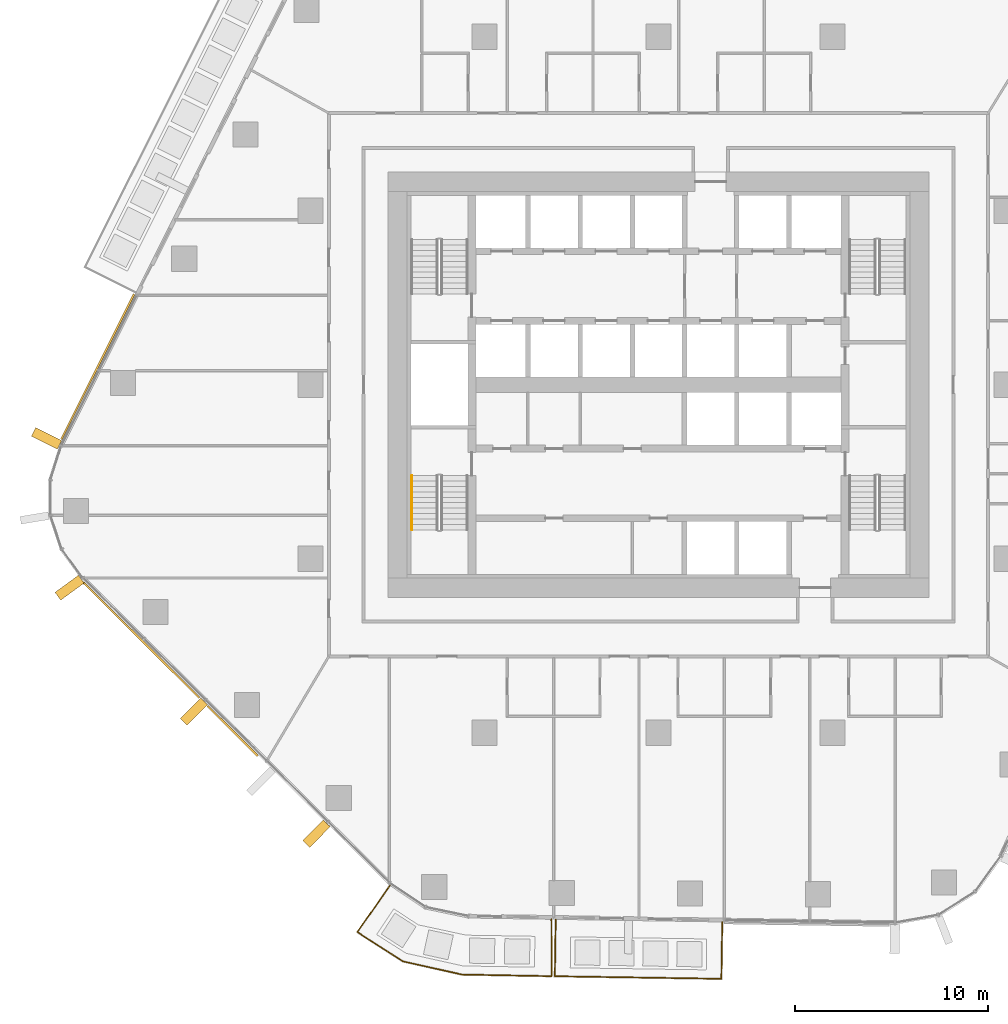
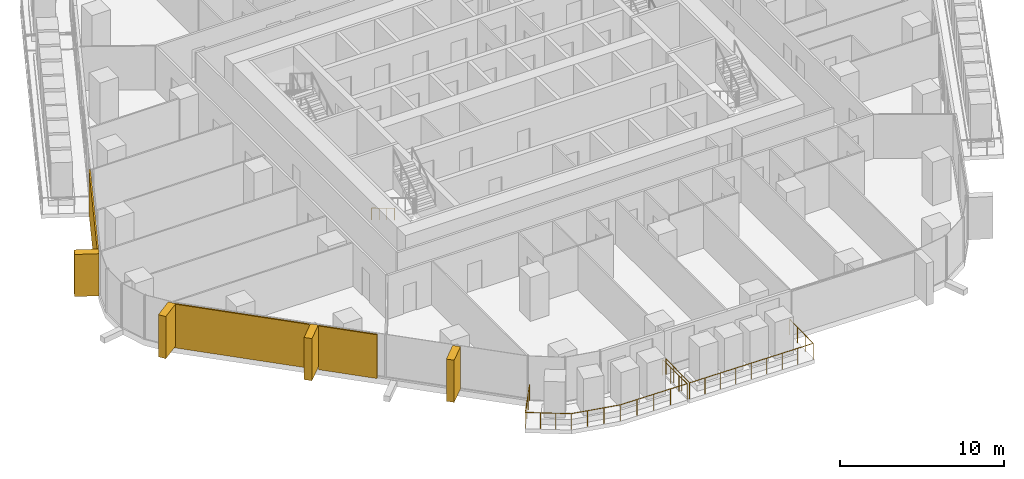
# One storey, part 19 of 24: 7 coverings, 3 railings, 3 elements without a shape of their own.
"""IFC4 building model written with IfcOpenShell, lengths in metres."""

from ifc_helpers import new_model, si_unit, direction, frame, origin, origin_2d, place, context, subcontext, project, spatial, rectangle, circle, extrude, material, layer, layer_set, material_profile, profile_set, type_object, element, aggregate, save


model = new_model("IFC4")

# Units and contexts
model_context = context("Model", 3, precision=1e-05, world=origin(), true_north=direction((0.0, 1.0)))
body_context = subcontext(model_context, "Body", "Model", "MODEL_VIEW")
ifc_project = project(units=[si_unit("LENGTHUNIT", "METRE"), si_unit("AREAUNIT", "SQUARE_METRE"), si_unit("VOLUMEUNIT", "CUBIC_METRE"), si_unit("PLANEANGLEUNIT", "RADIAN"), si_unit("MASSUNIT", "GRAM", prefix="KILO")], contexts=[model_context])

# Site, building, storey
site_placement = place(None, origin())
site = spatial("IfcSite", under=ifc_project, at=site_placement, CompositionType="ELEMENT")
building_placement = place(site_placement, origin())
building = spatial("IfcBuilding", under=site, at=building_placement, Name="Dongbaek Canopy Tower", CompositionType="ELEMENT")
storey_placement = place(building_placement, frame((0.0, 0.0, 98.89990234375)))
storey = spatial("IfcBuildingStorey", under=building, at=storey_placement, Name="L20", CompositionType="ELEMENT", Elevation=98.89990234375)

# Railings
ifc_material_1 = material(Name="Stainless steel", Category="steel")
railing_type_1 = type_object("IfcRailingType", Name="Balcony balustrade 1200", PredefinedType="BALUSTRADE", material=ifc_material_1)
railing_1_placement = place(storey_placement, frame((-5.315185546875, -27.650390625, 0.0)))
element("IfcRailing", 1, at=railing_1_placement, inside=storey, type_object=railing_type_1, Name="Balcony guard L20 4", PredefinedType="BALUSTRADE", context=body_context, shape_type="SweptSolid", body=[
    extrude(circle(Radius=0.02392578125, at=origin_2d()), frame((0.0, 0.0, 1.17578125), z_axis=(-0.015445379339, -0.999880713014, 0.0), x_axis=(0.999880713014, -0.015445379339, 0.0)), (0.0, 0.0, 1.0), 2.93994140625),
    extrude(circle(Radius=0.02392578125, at=origin_2d()), frame((-0.04541015625, -2.939697265625, 1.17578125), z_axis=(0.99988115416, -0.015416794622, 0.0), x_axis=(0.015416794622, 0.99988115416, 0.0)), (0.0, 0.0, 1.0), 8.61474609375),
    extrude(circle(Radius=0.02392578125, at=origin_2d()), frame((8.568359375, -3.072509765625, 1.17578125), z_axis=(0.015362359316, 0.999881991995, 0.0), x_axis=(-0.999881991995, 0.015362359316, 0.0)), (0.0, 0.0, 1.0), 2.93994140625),
    extrude(circle(Radius=0.02099609375, at=origin_2d()), origin(), (0.0, 0.0, 1.0), 1.15185546875),
    extrude(circle(Radius=0.02099609375, at=origin_2d()), frame((-0.01513671875, -0.97998046875, 0.0)), (0.0, 0.0, 1.0), 1.15185546875),
    extrude(circle(Radius=0.02099609375, at=origin_2d()), frame((-0.0302734375, -1.959716796875, 0.0)), (0.0, 0.0, 1.0), 1.15185546875),
    extrude(circle(Radius=0.02099609375, at=origin_2d()), frame((-0.04541015625, -2.939697265625, 0.0)), (0.0, 0.0, 1.0), 1.15185546875),
    extrude(circle(Radius=0.02099609375, at=origin_2d()), frame((1.03125, -2.956298828125, 0.0)), (0.0, 0.0, 1.0), 1.15185546875),
    extrude(circle(Radius=0.02099609375, at=origin_2d()), frame((2.10791015625, -2.972900390625, 0.0)), (0.0, 0.0, 1.0), 1.15185546875),
    extrude(circle(Radius=0.02099609375, at=origin_2d()), frame((3.184814453125, -2.989501953125, 0.0)), (0.0, 0.0, 1.0), 1.15185546875),
    extrude(circle(Radius=0.02099609375, at=origin_2d()), frame((4.261474609375, -3.006103515625, 0.0)), (0.0, 0.0, 1.0), 1.15185546875),
    extrude(circle(Radius=0.02099609375, at=origin_2d()), frame((5.338134765625, -3.022705078125, 0.0)), (0.0, 0.0, 1.0), 1.15185546875),
    extrude(circle(Radius=0.02099609375, at=origin_2d()), frame((6.4150390625, -3.039306640625, 0.0)), (0.0, 0.0, 1.0), 1.15185546875),
    extrude(circle(Radius=0.02099609375, at=origin_2d()), frame((7.49169921875, -3.055908203125, 0.0)), (0.0, 0.0, 1.0), 1.15185546875),
    extrude(circle(Radius=0.02099609375, at=origin_2d()), frame((8.568359375, -3.072509765625, 0.0)), (0.0, 0.0, 1.0), 1.15185546875),
    extrude(circle(Radius=0.02099609375, at=origin_2d()), frame((8.58349609375, -2.092529296875, 0.0)), (0.0, 0.0, 1.0), 1.15185546875),
    extrude(circle(Radius=0.02099609375, at=origin_2d()), frame((8.598388671875, -1.11279296875, 0.0)), (0.0, 0.0, 1.0), 1.15185546875),
    extrude(circle(Radius=0.02099609375, at=origin_2d()), frame((8.613525390625, -0.1328125, 0.0)), (0.0, 0.0, 1.0), 1.15185546875),
])
railing_2_placement = place(storey_placement, frame((-13.888671875, -25.897216796875, 0.0)))
element("IfcRailing", 2, at=railing_2_placement, inside=storey, type_object=railing_type_1, Name="Balcony guard L20 8", PredefinedType="BALUSTRADE", context=body_context, shape_type="SweptSolid", body=[
    extrude(circle(Radius=0.02392578125, at=origin_2d()), frame((0.0, 0.0, 1.17578125), z_axis=(-0.573824449934, -0.818978327343, 0.0), x_axis=(0.818978327343, -0.573824449934, 0.0)), (0.0, 0.0, 1.0), 2.940673828125),
    extrude(circle(Radius=0.02392578125, at=origin_2d()), frame((-1.6875, -2.408447265625, 1.17578125), z_axis=(0.841065066743, -0.540933964088, 0.0), x_axis=(0.540933964088, 0.841065066743, 0.0)), (0.0, 0.0, 1.0), 2.79833984375),
    extrude(circle(Radius=0.02392578125, at=origin_2d()), frame((0.666015625, -3.922119140625, 1.17578125), z_axis=(0.975888792323, -0.218268332607, 0.0), x_axis=(0.218268332607, 0.975888792323, 0.0)), (0.0, 0.0, 1.0), 3.129638671875),
    extrude(circle(Radius=0.02392578125, at=origin_2d()), frame((3.72021484375, -4.605224609375, 1.17578125), z_axis=(0.99983201567, -0.01832867809, 0.0), x_axis=(0.01832867809, 0.99983201567, 0.0)), (0.0, 0.0, 1.0), 4.648681640625),
    extrude(circle(Radius=0.02392578125, at=origin_2d()), frame((8.3681640625, -4.6904296875, 1.17578125), z_axis=(-0.004981671827, 0.999987591396, 0.0), x_axis=(-0.999987591396, -0.004981671827, 0.0)), (0.0, 0.0, 1.0), 2.9404296875),
    extrude(circle(Radius=0.02099609375, at=origin_2d()), origin(), (0.0, 0.0, 1.0), 1.15185546875),
    extrude(circle(Radius=0.02099609375, at=origin_2d()), frame((-0.5625, -0.802734375, 0.0)), (0.0, 0.0, 1.0), 1.15185546875),
    extrude(circle(Radius=0.02099609375, at=origin_2d()), frame((-1.125, -1.605712890625, 0.0)), (0.0, 0.0, 1.0), 1.15185546875),
    extrude(circle(Radius=0.02099609375, at=origin_2d()), frame((-1.6875, -2.408447265625, 0.0)), (0.0, 0.0, 1.0), 1.15185546875),
    extrude(circle(Radius=0.02099609375, at=origin_2d()), frame((-0.903076171875, -2.9130859375, 0.0)), (0.0, 0.0, 1.0), 1.15185546875),
    extrude(circle(Radius=0.02099609375, at=origin_2d()), frame((-0.118408203125, -3.41748046875, 0.0)), (0.0, 0.0, 1.0), 1.15185546875),
    extrude(circle(Radius=0.02099609375, at=origin_2d()), frame((0.666015625, -3.922119140625, 0.0)), (0.0, 0.0, 1.0), 1.15185546875),
    extrude(circle(Radius=0.02099609375, at=origin_2d()), frame((1.68408203125, -4.14990234375, 0.0)), (0.0, 0.0, 1.0), 1.15185546875),
    extrude(circle(Radius=0.02099609375, at=origin_2d()), frame((2.7021484375, -4.37744140625, 0.0)), (0.0, 0.0, 1.0), 1.15185546875),
    extrude(circle(Radius=0.02099609375, at=origin_2d()), frame((3.72021484375, -4.605224609375, 0.0)), (0.0, 0.0, 1.0), 1.15185546875),
    extrude(circle(Radius=0.02099609375, at=origin_2d()), frame((4.88232421875, -4.62646484375, 0.0)), (0.0, 0.0, 1.0), 1.15185546875),
    extrude(circle(Radius=0.02099609375, at=origin_2d()), frame((6.044189453125, -4.64794921875, 0.0)), (0.0, 0.0, 1.0), 1.15185546875),
    extrude(circle(Radius=0.02099609375, at=origin_2d()), frame((7.2060546875, -4.669189453125, 0.0)), (0.0, 0.0, 1.0), 1.15185546875),
    extrude(circle(Radius=0.02099609375, at=origin_2d()), frame((8.3681640625, -4.6904296875, 0.0)), (0.0, 0.0, 1.0), 1.15185546875),
    extrude(circle(Radius=0.02099609375, at=origin_2d()), frame((8.36328125, -3.710205078125, 0.0)), (0.0, 0.0, 1.0), 1.15185546875),
    extrude(circle(Radius=0.02099609375, at=origin_2d()), frame((8.3583984375, -2.730224609375, 0.0)), (0.0, 0.0, 1.0), 1.15185546875),
    extrude(circle(Radius=0.02099609375, at=origin_2d()), frame((8.353515625, -1.75, 0.0)), (0.0, 0.0, 1.0), 1.15185546875),
])

# Curtain wall, covering
ifc_material_2 = material(Name="Aluminium 6063-T6 pale anodised", Category="aluminium")
ifc_layer_1 = layer(ifc_material_2, 0.199951171875)
ifc_layer_set_1 = layer_set([ifc_layer_1], Name="CW-1 unitised tower curtain wall")
curtain_wall_type = type_object("IfcCurtainWallType", Name="CW-1 unitised tower curtain wall", PredefinedType="NOTDEFINED", material=ifc_layer_set_1)
curtain_wall_1_placement = place(storey_placement, origin())
curtain_wall_1 = element("IfcCurtainWall", 3, at=curtain_wall_1_placement, inside=storey, type_object=curtain_wall_type, Name="CW-1 curtain wall F2.1", PredefinedType="NOTDEFINED")
ifc_material_3 = material(Name="Perforated aluminium 6063-T6 pale metal screen", Category="aluminium")
ifc_layer_2 = layer(ifc_material_3, 0.10009765625)
ifc_layer_set_2 = layer_set([ifc_layer_2], Name="Facet screen FS1 100 pale metal")
covering_type_1 = type_object("IfcCoveringType", Name="Facet screen FS1 100 pale metal", PredefinedType="CLADDING", material=ifc_layer_set_2)
covering_1_placement = place(storey_placement, frame((-29.002685546875, 0.931884765625, 0.0), z_axis=(0.0, 0.0, 1.0), x_axis=(-0.447955711797, -0.894055747853, 0.0)))
covering_1 = element("IfcCovering", 4, at=covering_1_placement, type_object=covering_type_1, Name="Facet screen L20 F2", PredefinedType="CLADDING", context=body_context, shape_type="SweptSolid", body=[
    extrude(rectangle(XDim=8.415283203125, YDim=0.10009765625, at=origin_2d()), origin(), (0.0, 0.0, 1.0), 3.25),
])

# Curtain wall, coverings
curtain_wall_2_placement = place(storey_placement, origin())
curtain_wall_2 = element("IfcCurtainWall", 5, at=curtain_wall_2_placement, inside=storey, type_object=curtain_wall_type, Name="CW-1 curtain wall F3.1", PredefinedType="NOTDEFINED")
covering_2_placement = place(storey_placement, frame((-26.749755859375, -13.203369140625, 0.0), z_axis=(0.0, 0.0, 1.0), x_axis=(0.709103249407, -0.70510466009, 0.0)))
covering_2 = element("IfcCovering", 6, at=covering_2_placement, type_object=covering_type_1, Name="Facet screen L20 F3", PredefinedType="CLADDING", context=body_context, shape_type="SweptSolid", body=[
    extrude(rectangle(XDim=8.49462890625, YDim=0.10009765625, at=origin_2d()), origin(), (0.0, 0.0, 1.0), 3.25),
])
covering_3_placement = place(storey_placement, frame((-22.02294921875, -17.903564453125, 0.0), z_axis=(0.0, 0.0, 1.0), x_axis=(0.709103249407, -0.70510466009, 0.0)))
covering_3 = element("IfcCovering", 7, at=covering_3_placement, type_object=covering_type_1, Name="Facet screen L20 F3", PredefinedType="CLADDING", context=body_context, shape_type="SweptSolid", body=[
    extrude(rectangle(XDim=3.677001953125, YDim=0.10009765625, at=origin_2d()), origin(), (0.0, 0.0, 1.0), 3.25),
])

# Covering
ifc_material_4 = material(Name="Aluminium 6063-T6 pale metal fin", Category="aluminium")
ifc_material_profile = material_profile(ifc_material_4, rectangle(XDim=1.5, YDim=0.5, at=origin_2d()), Name="Fin FN1 500 x 1500 pale metal")
ifc_profile_set = profile_set([ifc_material_profile], Name="Aluminium 6063-T6 pale metal fin")
covering_type_2 = type_object("IfcCoveringType", Name="Fin FN1 500 x 1500 pale metal", PredefinedType="CLADDING", material=ifc_profile_set)
covering_4_placement = place(storey_placement, frame((-31.64697265625, -2.774169921875, 0.1201171875), z_axis=(0.0, 0.0, 1.0), x_axis=(-0.894055791151, 0.447955625381, 0.0)))
covering_4 = element("IfcCovering", 8, at=covering_4_placement, type_object=covering_type_2, Name="Fin F2.1.3", PredefinedType="CLADDING", context=body_context, shape_type="SweptSolid", body=[
    extrude(rectangle(XDim=1.5, YDim=0.5, at=origin_2d()), origin(), (0.0, 0.0, 1.0), 3.1298828125),
])

aggregate(curtain_wall_1, [covering_4, covering_1])

# Curtain wall, covering
curtain_wall_3_placement = place(storey_placement, origin())
curtain_wall_3 = element("IfcCurtainWall", 9, at=curtain_wall_3_placement, inside=storey, type_object=curtain_wall_type, Name="CW-1 curtain wall K3.1", PredefinedType="NOTDEFINED")
covering_5_placement = place(storey_placement, frame((-30.456298828125, -10.495849609375, 0.1201171875), z_axis=(0.0, 0.0, 1.0), x_axis=(-0.80706183949, -0.59046692307, 0.0)))
covering_5 = element("IfcCovering", 10, at=covering_5_placement, type_object=covering_type_2, Name="Fin K3.1.5", PredefinedType="CLADDING", context=body_context, shape_type="SweptSolid", body=[
    extrude(rectangle(XDim=1.5, YDim=0.5, at=origin_2d()), origin(), (0.0, 0.0, 1.0), 3.1298828125),
])
aggregate(curtain_wall_3, [covering_5])

# Covering
covering_6_placement = place(storey_placement, frame((-24.028564453125, -16.90185546875, 0.1201171875), z_axis=(0.0, 0.0, 1.0), x_axis=(-0.705105030819, -0.709102880768, 0.0)))
covering_6 = element("IfcCovering", 11, at=covering_6_placement, type_object=covering_type_2, Name="Fin F3.1.3", PredefinedType="CLADDING", context=body_context, shape_type="SweptSolid", body=[
    extrude(rectangle(XDim=1.5, YDim=0.5, at=origin_2d()), origin(), (0.0, 0.0, 1.0), 3.1298828125),
])

covering_7_placement = place(storey_placement, frame((-17.68212890625, -23.212646484375, 0.1201171875), z_axis=(0.0, 0.0, 1.0), x_axis=(-0.705105030819, -0.709102880768, 0.0)))
covering_7 = element("IfcCovering", 12, at=covering_7_placement, type_object=covering_type_2, Name="Fin F3.1.5", PredefinedType="CLADDING", context=body_context, shape_type="SweptSolid", body=[
    extrude(rectangle(XDim=1.5, YDim=0.5, at=origin_2d()), origin(), (0.0, 0.0, 1.0), 3.1298828125),
])

aggregate(curtain_wall_2, [covering_6, covering_7, covering_2, covering_3])

# Railing
ifc_material_5 = material(Name="Stainless steel tube", Category="steel")
railing_type_2 = type_object("IfcRailingType", Name="Stair handrail 900", PredefinedType="HANDRAIL", material=ifc_material_5)
railing_3_placement = place(storey_placement, frame((-12.75, -4.699951171875, 0.168212890625)))
element("IfcRailing", 13, at=railing_3_placement, inside=storey, type_object=railing_type_2, Name="L20 ST-D stair handrail 1", PredefinedType="HANDRAIL", context=body_context, shape_type="SweptSolid", body=[
    extrude(circle(Radius=0.02392578125, at=origin_2d()), frame((0.0, 0.0, 0.8759765625), z_axis=(0.0, -0.857242210791, 0.514913383045), x_axis=(1.0, 0.0, 0.0)), (0.0, 0.0, 1.0), 3.266357421875),
    extrude(circle(Radius=0.02099609375, at=origin_2d()), origin(), (0.0, 0.0, 1.0), 0.851806640625),
    extrude(circle(Radius=0.02099609375, at=origin_2d()), frame((0.0, -0.933349609375, 0.560546875)), (0.0, 0.0, 1.0), 0.851806640625),
    extrude(circle(Radius=0.02099609375, at=origin_2d()), frame((0.0, -1.86669921875, 1.121337890625)), (0.0, 0.0, 1.0), 0.851806640625),
    extrude(circle(Radius=0.02099609375, at=origin_2d()), frame((0.0, -2.800048828125, 1.681884765625)), (0.0, 0.0, 1.0), 0.851806640625),
])

save(model, "model.ifc")
